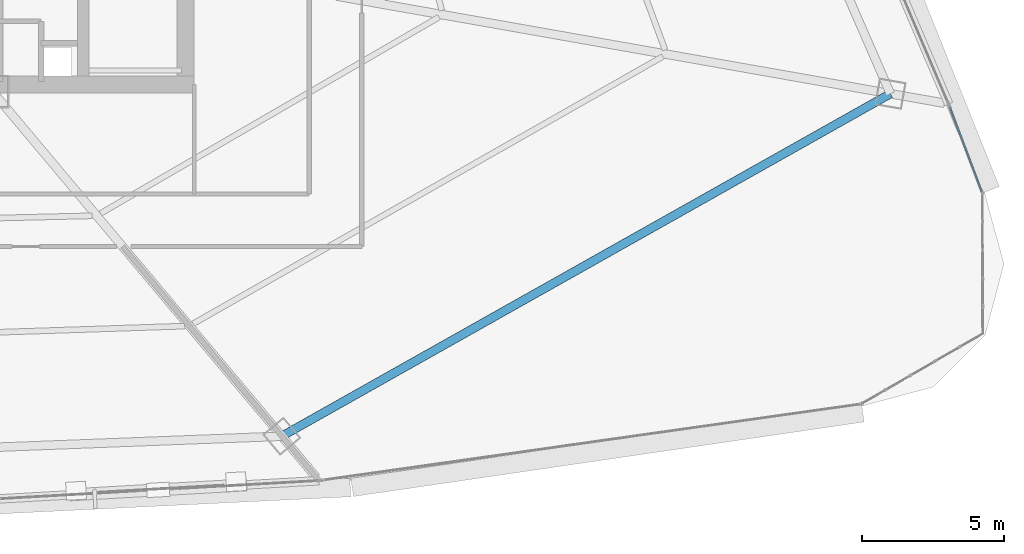
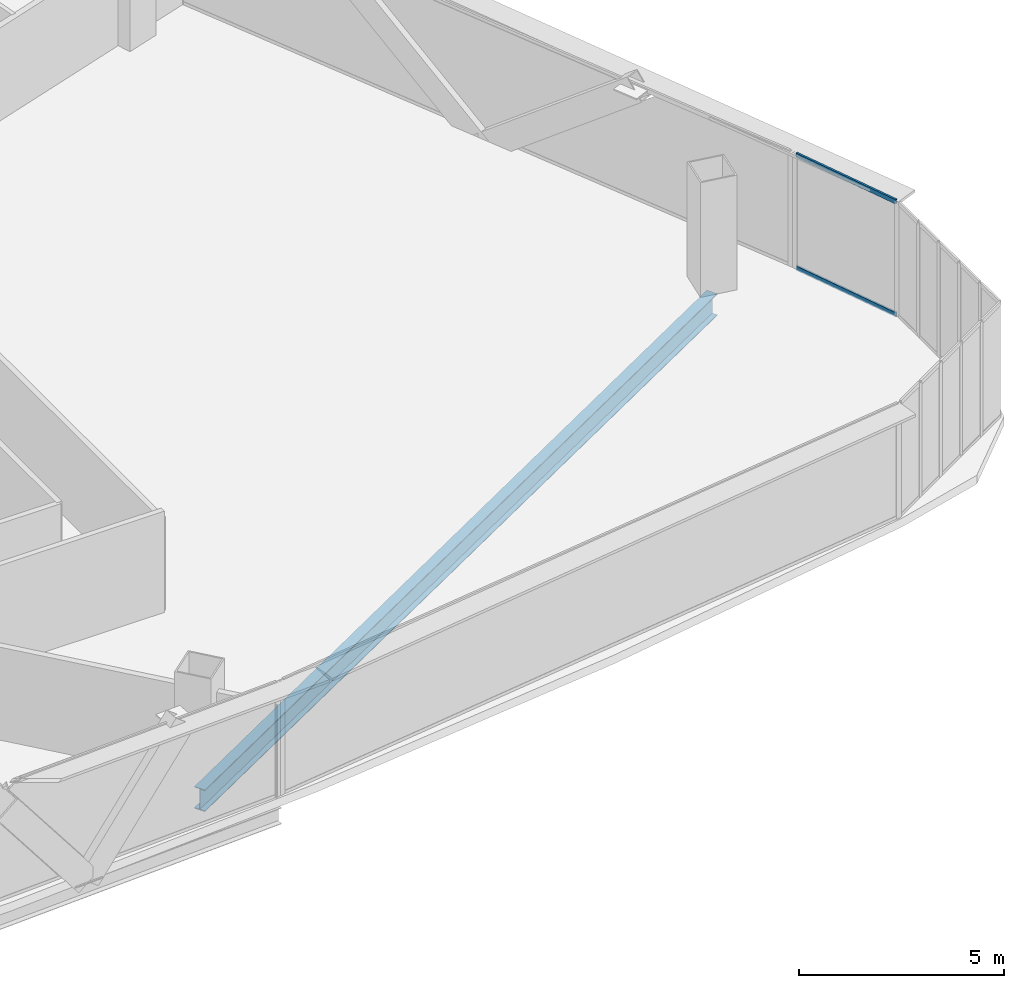
# One storey, part 23 of 42: 2 members, 1 beam, 1 element without a shape of its own.
"""IFC4 building model written with IfcOpenShell, lengths in metres."""

from ifc_helpers import new_model, si_unit, direction, frame, origin, origin_2d, place, context, subcontext, project, spatial, hollow_rectangle, i_section, extrude, source, transform, mapped, material, layer, layer_set, material_profile, profile_set, type_object, element, aggregate, save


model = new_model("IFC4")

# Units and contexts
model_context = context("Model", 3, precision=1e-05, world=origin(), true_north=direction((0.0, 1.0)))
body_context = subcontext(model_context, "Body", "Model", "MODEL_VIEW")
ifc_project = project(units=[si_unit("LENGTHUNIT", "METRE"), si_unit("AREAUNIT", "SQUARE_METRE"), si_unit("VOLUMEUNIT", "CUBIC_METRE"), si_unit("PLANEANGLEUNIT", "RADIAN"), si_unit("MASSUNIT", "GRAM", prefix="KILO"), si_unit("THERMODYNAMICTEMPERATUREUNIT", "KELVIN"), si_unit("POWERUNIT", "WATT")], contexts=[model_context])

# Site, building, storey
site_placement = place(None, origin())
site = spatial("IfcSite", under=ifc_project, at=site_placement, CompositionType="ELEMENT")
building_placement = place(site_placement, origin())
building = spatial("IfcBuilding", under=site, at=building_placement, Name="Yunzhuo Pagoda Commons", CompositionType="ELEMENT")
storey_placement = place(building_placement, frame((0.0, 0.0, 137.18994140625)))
storey = spatial("IfcBuildingStorey", under=building, at=storey_placement, Name="L34", CompositionType="ELEMENT", Elevation=137.18994140625)

# Beam
ifc_material_1 = material(Name="Structural steel Q355B", Category="steel")
ifc_material_profile_1 = material_profile(ifc_material_1, i_section(OverallWidth=0.300048828125, OverallDepth=0.64990234375, WebThickness=0.012939453125, FlangeThickness=0.02197265625, at=origin_2d()), Name="Structural steel Q355B")
ifc_profile_set_1 = profile_set([ifc_material_profile_1], Name="Structural steel Q355B")
beam_type = type_object("IfcBeamType", Name="B-RG2 Beam HN 650x300x13x22", PredefinedType="BEAM", material=ifc_profile_set_1)
shared_shape_1 = source(origin(), body_context, "Body", "SweptSolid", [
    extrude(i_section(OverallWidth=0.300048828125, OverallDepth=0.64990234375, WebThickness=0.012939453125, FlangeThickness=0.02197265625, at=origin_2d()), origin(), (0.0, 0.0, 1.0), 24.56982421875),
])
beam_placement = place(storey_placement, frame((63.585205078125, 15.126220703125, -0.584716796875), z_axis=(0.871469103633, 0.490450406681, 0.0), x_axis=(-0.490450406681, 0.871469103633, 0.0)))
element("IfcBeam", 1, at=beam_placement, inside=storey, type_object=beam_type, Name="L34 column-ring beam 4", PredefinedType="BEAM", context=body_context, shape_type="MappedRepresentation", body=[
    mapped(shared_shape_1, transform((0.0, 0.0, 0.0), scale=1.0)),
])

# Curtain wall, members
ifc_material_2 = material(Name="Anodized aluminium 6063-T6", Category="aluminium")
ifc_layer = layer(ifc_material_2, 0.14990234375)
ifc_layer_set = layer_set([ifc_layer], Name="Anodized aluminium 6063-T6")
curtain_wall_type = type_object("IfcCurtainWallType", Name="CW-MID Mid-Zone Ribbon Curtain Wall", PredefinedType="NOTDEFINED", material=ifc_layer_set)
curtain_wall_placement = place(storey_placement, origin())
curtain_wall = element("IfcCurtainWall", 2, at=curtain_wall_placement, inside=storey, type_object=curtain_wall_type, Name="L34 curtain wall CW-L34-F2B1", PredefinedType="NOTDEFINED")
ifc_material_profile_2 = material_profile(ifc_material_2, hollow_rectangle(XDim=0.054931640625, YDim=0.1298828125, WallThickness=0.00341796875, at=origin_2d()), Name="Anodized aluminium 6063-T6")
ifc_profile_set_2 = profile_set([ifc_material_profile_2], Name="Anodized aluminium 6063-T6")
member_type = type_object("IfcMemberType", Name="CW-MID-T Transom RHS 130x55x3.5", PredefinedType="USERDEFINED", material=ifc_profile_set_2)
shared_shape_2 = source(origin(), body_context, "Body", "SweptSolid", [
    extrude(hollow_rectangle(XDim=0.054931640625, YDim=0.1298828125, WallThickness=0.00341796875, at=origin_2d()), origin(), (0.0, 0.0, 1.0), 3.15576171875),
])
member_1_placement = place(storey_placement, frame((88.212158203125, 23.73681640625, 0.027587890625), z_axis=(-0.353784181355, 0.935327083443, 0.0), x_axis=(-0.935327083443, -0.353784181355, 0.0)))
member_1 = element("IfcMember", 3, at=member_1_placement, type_object=member_type, Name="CW transom 1.1", ObjectType="TRANSOM", PredefinedType="USERDEFINED", context=body_context, shape_type="MappedRepresentation", body=[
    mapped(shared_shape_2, transform((0.0, 0.0, 0.0), scale=1.0)),
])
member_2_placement = place(storey_placement, frame((88.212158203125, 23.73681640625, 3.392822265625), z_axis=(-0.353784181355, 0.935327083443, 0.0), x_axis=(-0.935327083443, -0.353784181355, 0.0)))
member_2 = element("IfcMember", 4, at=member_2_placement, type_object=member_type, Name="CW transom 1.2", ObjectType="TRANSOM", PredefinedType="USERDEFINED", context=body_context, shape_type="MappedRepresentation", body=[
    mapped(shared_shape_2, transform((0.0, 0.0, 0.0), scale=1.0)),
])
aggregate(curtain_wall, [member_1, member_2])

save(model, "model.ifc")
